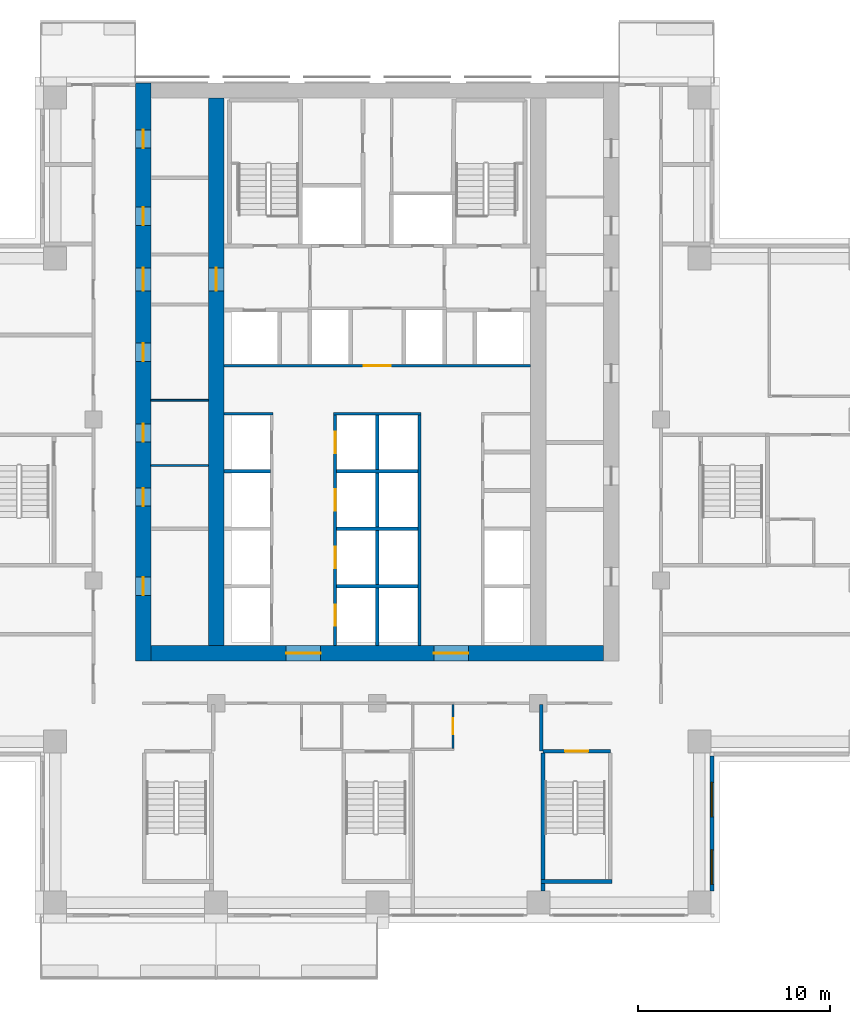
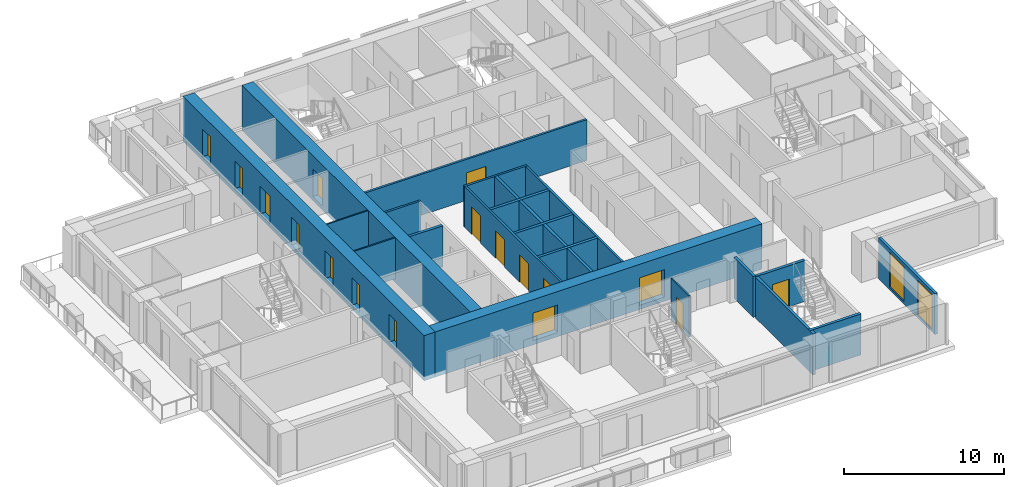
# One storey, part 8 of 16: 21 walls, 17 doors, 2 windows, 19 openings.
"""IFC4 building model written with IfcOpenShell, lengths in metres."""

from ifc_helpers import new_model, si_unit, direction, frame, frame_2d, origin, place, context, subcontext, project, spatial, rectangle, extrude, material, layer, layer_set, type_object, element, fill, save


model = new_model("IFC4")

# Units and contexts
model_context = context("Model", 3, precision=1e-05, world=origin(), true_north=direction((0.0, 1.0)))
body_context = subcontext(model_context, "Body", "Model", "MODEL_VIEW")
ifc_project = project(units=[si_unit("LENGTHUNIT", "METRE"), si_unit("AREAUNIT", "SQUARE_METRE"), si_unit("VOLUMEUNIT", "CUBIC_METRE"), si_unit("PLANEANGLEUNIT", "RADIAN"), si_unit("MASSUNIT", "GRAM", prefix="KILO")], contexts=[model_context])

# Site, building, storey
site_placement = place(None, origin())
site = spatial("IfcSite", under=ifc_project, at=site_placement, CompositionType="ELEMENT")
building_placement = place(site_placement, origin())
building = spatial("IfcBuilding", under=site, at=building_placement, Name="Vermilion Ogive Tower", CompositionType="ELEMENT")
storey_placement = place(building_placement, frame((0.0, 0.0, 101.10009765625)))
storey = spatial("IfcBuildingStorey", under=building, at=storey_placement, Name="L25", CompositionType="ELEMENT", Elevation=101.10009765625)

# Wall, openings, doors
ifc_material_1 = material(Name="Concrete B80", Category="concrete")
ifc_layer_1 = layer(ifc_material_1, 0.800048828125)
ifc_layer_set_1 = layer_set([ifc_layer_1], Name="Core wall 800 B80")
wall_type_1 = type_object("IfcWallType", Name="Core wall 800 B80", PredefinedType="SHEAR", material=ifc_layer_set_1)
wall_1_placement = place(storey_placement, frame((-12.199951171875, -8.39990234375, -0.320068359375), z_axis=(0.0, 0.0, 1.0), x_axis=(0.0, 1.0, 0.0)))
wall_1 = element("IfcWall", 1, at=wall_1_placement, inside=storey, type_object=wall_type_1, Name="L25-CORE-W", PredefinedType="SHEAR", context=body_context, shape_type="SweptSolid", body=[
    extrude(rectangle(XDim=30.14990234375, YDim=0.800048828125, at=frame_2d((15.074951171875, 0.0))), origin(), (0.0, 0.0, 1.0), 3.449951171875),
])
opening_1_placement = place(wall_1_placement, frame((3.425048828125, 0.0, 0.320068359375)))
opening_1 = element("IfcOpeningElement", 2, at=opening_1_placement, cuts=wall_1, Name="Opening DAD045", PredefinedType="OPENING", context=body_context, shape_type="SweptSolid", body=[
    extrude(rectangle(XDim=0.949951171875, YDim=2.10009765625, at=frame_2d((0.47509765625, 1.050048828125))), frame((0.0, 0.409912109375, 0.0), z_axis=(0.0, -1.0, 0.0), x_axis=(1.0, 0.0, 0.0)), (0.0, 0.0, 1.0), 0.820068359375),
])
opening_2_placement = place(wall_1_placement, frame((8.074951171875, 0.0, 0.320068359375)))
opening_2 = element("IfcOpeningElement", 3, at=opening_2_placement, cuts=wall_1, Name="Opening DAD046", PredefinedType="OPENING", context=body_context, shape_type="SweptSolid", body=[
    extrude(rectangle(XDim=0.949951171875, YDim=2.10009765625, at=frame_2d((0.47509765625, 1.050048828125))), frame((0.0, 0.409912109375, 0.0), z_axis=(0.0, -1.0, 0.0), x_axis=(1.0, 0.0, 0.0)), (0.0, 0.0, 1.0), 0.820068359375),
])
opening_3_placement = place(wall_1_placement, frame((11.425048828125, 0.0, 0.320068359375)))
opening_3 = element("IfcOpeningElement", 4, at=opening_3_placement, cuts=wall_1, Name="Opening DAD047", PredefinedType="OPENING", context=body_context, shape_type="SweptSolid", body=[
    extrude(rectangle(XDim=0.949951171875, YDim=2.10009765625, at=frame_2d((0.47509765625, 1.050048828125))), frame((0.0, 0.409912109375, 0.0), z_axis=(0.0, -1.0, 0.0), x_axis=(1.0, 0.0, 0.0)), (0.0, 0.0, 1.0), 0.820068359375),
])
opening_4_placement = place(wall_1_placement, frame((15.625, 0.0, 0.320068359375)))
opening_4 = element("IfcOpeningElement", 5, at=opening_4_placement, cuts=wall_1, Name="Opening DAD048", PredefinedType="OPENING", context=body_context, shape_type="SweptSolid", body=[
    extrude(rectangle(XDim=0.949951171875, YDim=2.10009765625, at=frame_2d((0.47509765625, 1.050048828125))), frame((0.0, 0.409912109375, 0.0), z_axis=(0.0, -1.0, 0.0), x_axis=(1.0, 0.0, 0.0)), (0.0, 0.0, 1.0), 0.820068359375),
])
opening_5_placement = place(wall_1_placement, frame((22.72509765625, 0.0, 0.320068359375)))
opening_5 = element("IfcOpeningElement", 6, at=opening_5_placement, cuts=wall_1, Name="Opening DAD049", PredefinedType="OPENING", context=body_context, shape_type="SweptSolid", body=[
    extrude(rectangle(XDim=0.949951171875, YDim=2.10009765625, at=frame_2d((0.47509765625, 1.050048828125))), frame((0.0, 0.409912109375, 0.0), z_axis=(0.0, -1.0, 0.0), x_axis=(1.0, 0.0, 0.0)), (0.0, 0.0, 1.0), 0.820068359375),
])
opening_6_placement = place(wall_1_placement, frame((26.75, 0.0, 0.320068359375)))
opening_6 = element("IfcOpeningElement", 7, at=opening_6_placement, cuts=wall_1, Name="Opening DAD050", PredefinedType="OPENING", context=body_context, shape_type="SweptSolid", body=[
    extrude(rectangle(XDim=0.949951171875, YDim=2.10009765625, at=frame_2d((0.47509765625, 1.050048828125))), frame((0.0, 0.409912109375, 0.0), z_axis=(0.0, -1.0, 0.0), x_axis=(1.0, 0.0, 0.0)), (0.0, 0.0, 1.0), 0.820068359375),
])
opening_7_placement = place(wall_1_placement, frame((19.300048828125, 0.0, 0.320068359375)))
opening_7 = element("IfcOpeningElement", 8, at=opening_7_placement, cuts=wall_1, Name="Opening DAM009", PredefinedType="OPENING", context=body_context, shape_type="SweptSolid", body=[
    extrude(rectangle(XDim=1.199951171875, YDim=2.10009765625, at=frame_2d((0.60009765625, 1.050048828125))), frame((0.0, 0.409912109375, 0.0), z_axis=(0.0, -1.0, 0.0), x_axis=(1.0, 0.0, 0.0)), (0.0, 0.0, 1.0), 0.820068359375),
])
ifc_material_2 = material(Name="Timber door leaf", Category="wood")
door_type_1 = type_object("IfcDoorType", Name="Link door 1200 x 2100 FD60S", OperationType="SINGLE_SWING_LEFT", PredefinedType="DOOR", material=ifc_material_2)
door_1_placement = place(opening_7_placement, origin())
door_1 = element("IfcDoor", 9, at=door_1_placement, inside=storey, type_object=door_type_1, Name="L25-CKW-XL", OperationType="SINGLE_SWING_LEFT", OverallHeight=2.10009765625, OverallWidth=1.199951171875, PredefinedType="DOOR", context=body_context, shape_type="SweptSolid", body=[
    extrude(rectangle(XDim=1.199951171875, YDim=2.10009765625, at=frame_2d((0.60009765625, 1.050048828125))), frame((0.0, 0.02490234375, 0.0), z_axis=(0.0, -1.0, 0.0), x_axis=(1.0, 0.0, 0.0)), (0.0, 0.0, 1.0), 0.050048828125),
])
fill(opening_7, door_1)
ifc_material_3 = material(Name="Timber door leaf", Category="wood")
door_type_2 = type_object("IfcDoorType", Name="Service door 950 x 2100 FD60", OperationType="SINGLE_SWING_LEFT", PredefinedType="DOOR", material=ifc_material_3)
door_2_placement = place(opening_1_placement, origin())
door_2 = element("IfcDoor", 10, at=door_2_placement, inside=storey, type_object=door_type_2, Name="L25-CKW-XR0", OperationType="SINGLE_SWING_LEFT", OverallHeight=2.10009765625, OverallWidth=0.949951171875, PredefinedType="DOOR", context=body_context, shape_type="SweptSolid", body=[
    extrude(rectangle(XDim=0.949951171875, YDim=2.10009765625, at=frame_2d((0.47509765625, 1.050048828125))), frame((0.0, 0.02490234375, 0.0), z_axis=(0.0, -1.0, 0.0), x_axis=(1.0, 0.0, 0.0)), (0.0, 0.0, 1.0), 0.050048828125),
])
fill(opening_1, door_2)
door_3_placement = place(opening_2_placement, origin())
door_3 = element("IfcDoor", 11, at=door_3_placement, inside=storey, type_object=door_type_2, Name="L25-CKW-XR1", OperationType="SINGLE_SWING_LEFT", OverallHeight=2.10009765625, OverallWidth=0.949951171875, PredefinedType="DOOR", context=body_context, shape_type="SweptSolid", body=[
    extrude(rectangle(XDim=0.949951171875, YDim=2.10009765625, at=frame_2d((0.47509765625, 1.050048828125))), frame((0.0, 0.02490234375, 0.0), z_axis=(0.0, -1.0, 0.0), x_axis=(1.0, 0.0, 0.0)), (0.0, 0.0, 1.0), 0.050048828125),
])
fill(opening_2, door_3)
door_4_placement = place(opening_3_placement, origin())
door_4 = element("IfcDoor", 12, at=door_4_placement, inside=storey, type_object=door_type_2, Name="L25-CKW-XR2", OperationType="SINGLE_SWING_LEFT", OverallHeight=2.10009765625, OverallWidth=0.949951171875, PredefinedType="DOOR", context=body_context, shape_type="SweptSolid", body=[
    extrude(rectangle(XDim=0.949951171875, YDim=2.10009765625, at=frame_2d((0.47509765625, 1.050048828125))), frame((0.0, 0.02490234375, 0.0), z_axis=(0.0, -1.0, 0.0), x_axis=(1.0, 0.0, 0.0)), (0.0, 0.0, 1.0), 0.050048828125),
])
fill(opening_3, door_4)
door_5_placement = place(opening_4_placement, origin())
door_5 = element("IfcDoor", 13, at=door_5_placement, inside=storey, type_object=door_type_2, Name="L25-CKW-XR3", OperationType="SINGLE_SWING_LEFT", OverallHeight=2.10009765625, OverallWidth=0.949951171875, PredefinedType="DOOR", context=body_context, shape_type="SweptSolid", body=[
    extrude(rectangle(XDim=0.949951171875, YDim=2.10009765625, at=frame_2d((0.47509765625, 1.050048828125))), frame((0.0, 0.02490234375, 0.0), z_axis=(0.0, -1.0, 0.0), x_axis=(1.0, 0.0, 0.0)), (0.0, 0.0, 1.0), 0.050048828125),
])
fill(opening_4, door_5)
door_6_placement = place(opening_5_placement, origin())
door_6 = element("IfcDoor", 14, at=door_6_placement, inside=storey, type_object=door_type_2, Name="L25-CKW-XR4", OperationType="SINGLE_SWING_LEFT", OverallHeight=2.10009765625, OverallWidth=0.949951171875, PredefinedType="DOOR", context=body_context, shape_type="SweptSolid", body=[
    extrude(rectangle(XDim=0.949951171875, YDim=2.10009765625, at=frame_2d((0.47509765625, 1.050048828125))), frame((0.0, 0.02490234375, 0.0), z_axis=(0.0, -1.0, 0.0), x_axis=(1.0, 0.0, 0.0)), (0.0, 0.0, 1.0), 0.050048828125),
])
fill(opening_5, door_6)
door_7_placement = place(opening_6_placement, origin())
door_7 = element("IfcDoor", 15, at=door_7_placement, inside=storey, type_object=door_type_2, Name="L25-CKW-XR5", OperationType="SINGLE_SWING_LEFT", OverallHeight=2.10009765625, OverallWidth=0.949951171875, PredefinedType="DOOR", context=body_context, shape_type="SweptSolid", body=[
    extrude(rectangle(XDim=0.949951171875, YDim=2.10009765625, at=frame_2d((0.47509765625, 1.050048828125))), frame((0.0, 0.02490234375, 0.0), z_axis=(0.0, -1.0, 0.0), x_axis=(1.0, 0.0, 0.0)), (0.0, 0.0, 1.0), 0.050048828125),
])
fill(opening_6, door_7)

wall_2_placement = place(storey_placement, frame((-11.800048828125, -8.0, -0.320068359375), z_axis=(0.0, 0.0, 1.0), x_axis=(1.0, 0.0, 0.0)))
wall_2 = element("IfcWall", 16, at=wall_2_placement, inside=storey, type_object=wall_type_1, Name="L25-CORE-S", PredefinedType="SHEAR", context=body_context, shape_type="SweptSolid", body=[
    extrude(rectangle(XDim=23.60009765625, YDim=0.800048828125, at=frame_2d((11.800048828125, 0.0))), origin(), (0.0, 0.0, 1.0), 3.449951171875),
])
opening_8_placement = place(wall_2_placement, frame((7.050048828125, 0.0, 0.320068359375)))
opening_8 = element("IfcOpeningElement", 17, at=opening_8_placement, cuts=wall_2, Name="Opening DAH017", PredefinedType="OPENING", context=body_context, shape_type="SweptSolid", body=[
    extrude(rectangle(XDim=1.800048828125, YDim=2.10009765625, at=frame_2d((0.89990234375, 1.050048828125))), frame((0.0, 0.409912109375, 0.0), z_axis=(0.0, -1.0, 0.0), x_axis=(1.0, 0.0, 0.0)), (0.0, 0.0, 1.0), 0.820068359375),
])
opening_9_placement = place(wall_2_placement, frame((14.75, 0.0, 0.320068359375)))
opening_9 = element("IfcOpeningElement", 18, at=opening_9_placement, cuts=wall_2, Name="Opening DAH018", PredefinedType="OPENING", context=body_context, shape_type="SweptSolid", body=[
    extrude(rectangle(XDim=1.800048828125, YDim=2.10009765625, at=frame_2d((0.89990234375, 1.050048828125))), frame((0.0, 0.409912109375, 0.0), z_axis=(0.0, -1.0, 0.0), x_axis=(1.0, 0.0, 0.0)), (0.0, 0.0, 1.0), 0.820068359375),
])
ifc_material_4 = material(Name="Timber door leaf", Category="wood")
door_type_3 = type_object("IfcDoorType", Name="Core entry door 1800 x 2100 FD60S", OperationType="DOUBLE_DOOR_SINGLE_SWING", PredefinedType="DOOR", material=ifc_material_4)
door_8_placement = place(opening_8_placement, origin())
door_8 = element("IfcDoor", 19, at=door_8_placement, inside=storey, type_object=door_type_3, Name="L25-CK-XD1", OperationType="SINGLE_SWING_LEFT", OverallHeight=2.10009765625, OverallWidth=1.800048828125, PredefinedType="DOOR", context=body_context, shape_type="SweptSolid", body=[
    extrude(rectangle(XDim=1.800048828125, YDim=2.10009765625, at=frame_2d((0.89990234375, 1.050048828125))), frame((0.0, 0.02490234375, 0.0), z_axis=(0.0, -1.0, 0.0), x_axis=(1.0, 0.0, 0.0)), (0.0, 0.0, 1.0), 0.050048828125),
])
fill(opening_8, door_8)
door_9_placement = place(opening_9_placement, origin())
door_9 = element("IfcDoor", 20, at=door_9_placement, inside=storey, type_object=door_type_3, Name="L25-CK-XD2", OperationType="SINGLE_SWING_LEFT", OverallHeight=2.10009765625, OverallWidth=1.800048828125, PredefinedType="DOOR", context=body_context, shape_type="SweptSolid", body=[
    extrude(rectangle(XDim=1.800048828125, YDim=2.10009765625, at=frame_2d((0.89990234375, 1.050048828125))), frame((0.0, 0.02490234375, 0.0), z_axis=(0.0, -1.0, 0.0), x_axis=(1.0, 0.0, 0.0)), (0.0, 0.0, 1.0), 0.050048828125),
])
fill(opening_9, door_9)

# Wall, opening, door
wall_3_placement = place(storey_placement, frame((-8.39990234375, -7.60009765625, -0.320068359375), z_axis=(0.0, 0.0, 1.0), x_axis=(0.0, 1.0, 0.0)))
wall_3 = element("IfcWall", 21, at=wall_3_placement, inside=storey, type_object=wall_type_1, Name="L25-CORE-WEB1", PredefinedType="SHEAR", context=body_context, shape_type="SweptSolid", body=[
    extrude(rectangle(XDim=28.550048828125, YDim=0.800048828125, at=frame_2d((14.27490234375, 0.0))), origin(), (0.0, 0.0, 1.0), 3.449951171875),
])
opening_10_placement = place(wall_3_placement, frame((18.5, 0.0, 0.320068359375)))
opening_10 = element("IfcOpeningElement", 22, at=opening_10_placement, cuts=wall_3, Name="Opening DAP009", PredefinedType="OPENING", context=body_context, shape_type="SweptSolid", body=[
    extrude(rectangle(XDim=1.199951171875, YDim=2.10009765625, at=frame_2d((0.60009765625, 1.050048828125))), frame((0.0, 0.409912109375, 0.0), z_axis=(0.0, -1.0, 0.0), x_axis=(1.0, 0.0, 0.0)), (0.0, 0.0, 1.0), 0.820068359375),
])
door_10_placement = place(opening_10_placement, origin())
door_10 = element("IfcDoor", 23, at=door_10_placement, inside=storey, type_object=door_type_1, Name="L25-CKW-XW", OperationType="SINGLE_SWING_LEFT", OverallHeight=2.10009765625, OverallWidth=1.199951171875, PredefinedType="DOOR", context=body_context, shape_type="SweptSolid", body=[
    extrude(rectangle(XDim=1.199951171875, YDim=2.10009765625, at=frame_2d((0.60009765625, 1.050048828125))), frame((0.0, 0.02490234375, 0.0), z_axis=(0.0, -1.0, 0.0), x_axis=(1.0, 0.0, 0.0)), (0.0, 0.0, 1.0), 0.050048828125),
])
fill(opening_10, door_10)

ifc_material_5 = material(Name="Gypsum board partition on steel studs", Category="steel")
ifc_layer_2 = layer(ifc_material_5, 0.10009765625)
ifc_layer_set_2 = layer_set([ifc_layer_2], Name="Partition 100 bath")
wall_type_2 = type_object("IfcWallType", Name="Partition 100 bath", PredefinedType="PARTITIONING", material=ifc_layer_set_2)
wall_4_placement = place(storey_placement, frame((3.949951171875, -12.949951171875, 0.0), z_axis=(0.0, 0.0, 1.0), x_axis=(0.0, 1.0, 0.0)))
wall_4 = element("IfcWall", 24, at=wall_4_placement, inside=storey, type_object=wall_type_2, Name="L25-W-W044", PredefinedType="PARTITIONING", context=body_context, shape_type="SweptSolid", body=[
    extrude(rectangle(XDim=2.27490234375, YDim=0.10009765625, at=frame_2d((1.137451171875, 0.0))), origin(), (0.0, 0.0, 1.0), 3.1298828125),
])
opening_11_placement = place(wall_4_placement, frame((0.724853515625, 0.0, 0.0)))
opening_11 = element("IfcOpeningElement", 25, at=opening_11_placement, cuts=wall_4, Name="Opening D2G3012", PredefinedType="OPENING", context=body_context, shape_type="SweptSolid", body=[
    extrude(rectangle(XDim=0.85009765625, YDim=2.10009765625, at=frame_2d((0.425048828125, 1.050048828125))), frame((0.0, 0.06005859375, 0.0), z_axis=(0.0, -1.0, 0.0), x_axis=(1.0, 0.0, 0.0)), (0.0, 0.0, 1.0), 0.1201171875),
])
ifc_material_6 = material(Name="Timber door leaf", Category="wood")
door_type_4 = type_object("IfcDoorType", Name="Bath door 850 x 2100 FD30", OperationType="SINGLE_SWING_LEFT", PredefinedType="DOOR", material=ifc_material_6)
door_11_placement = place(opening_11_placement, origin())
door_11 = element("IfcDoor", 26, at=door_11_placement, inside=storey, type_object=door_type_4, Name="L25-D-D012", OperationType="SINGLE_SWING_LEFT", OverallHeight=2.10009765625, OverallWidth=0.85009765625, PredefinedType="DOOR", context=body_context, shape_type="SweptSolid", body=[
    extrude(rectangle(XDim=0.85009765625, YDim=2.10009765625, at=frame_2d((0.425048828125, 1.050048828125))), frame((0.0, 0.02490234375, 0.0), z_axis=(0.0, -1.0, 0.0), x_axis=(1.0, 0.0, 0.0)), (0.0, 0.0, 1.0), 0.050048828125),
])
fill(opening_11, door_11)

# Walls
for number, where, z_axis, x_axis, name in (
    (27, (-11.799072265625, 1.800048828125, 0.0), (0.0, 0.0, 1.0), (1.0, 0.0, 0.0), "L25-CKW-W-W002"),
    (28, (-11.799072265625, 5.199951171875, 0.0), (0.0, 0.0, 1.0), (1.0, 0.0, 0.0), "L25-CKW-W-W003"),
):
    element("IfcWall", number, at=place(storey_placement, frame(where, z_axis=z_axis, x_axis=x_axis)), inside=storey, type_object=wall_type_2, Name=name, PredefinedType="PARTITIONING", context=body_context, shape_type="SweptSolid", body=[
        extrude(rectangle(XDim=2.998046875, YDim=0.10009765625, at=frame_2d((1.4990234375, 0.0))), origin(), (0.0, 0.0, 1.0), 3.1298828125),
    ])
ifc_material_7 = material(Name="Gypsum board partition on steel studs", Category="steel")
ifc_layer_3 = layer(ifc_material_7, 0.14990234375)
ifc_layer_set_3 = layer_set([ifc_layer_3], Name="Partition 150 corridor")
wall_type_3 = type_object("IfcWallType", Name="Partition 150 corridor", PredefinedType="PARTITIONING", material=ifc_layer_set_3)
wall_5_placement = place(storey_placement, frame((-7.9990234375, 4.5, 0.0), z_axis=(0.0, 0.0, 1.0), x_axis=(1.0, 0.0, 0.0)))
element("IfcWall", 29, at=wall_5_placement, inside=storey, type_object=wall_type_3, Name="L25-CK-W-W011", PredefinedType="PARTITIONING", context=body_context, shape_type="SweptSolid", body=[
    extrude(rectangle(XDim=2.573974609375, YDim=0.14990234375, at=frame_2d((1.287109375, 0.0))), origin(), (0.0, 0.0, 1.0), 3.1298828125),
])
wall_6_placement = place(storey_placement, frame((-2.27490234375, 4.5, 0.0), z_axis=(0.0, 0.0, 1.0), x_axis=(1.0, 0.0, 0.0)))
element("IfcWall", 30, at=wall_6_placement, inside=storey, type_object=wall_type_3, Name="L25-CK-W-W012", PredefinedType="PARTITIONING", context=body_context, shape_type="SweptSolid", body=[
    extrude(rectangle(XDim=4.5498046875, YDim=0.14990234375, at=frame_2d((2.27490234375, 0.0))), origin(), (0.0, 0.0, 1.0), 3.1298828125),
])

# Wall, opening, door
wall_7_placement = place(storey_placement, frame((-7.9990234375, 7.0, 0.0), z_axis=(0.0, 0.0, 1.0), x_axis=(1.0, 0.0, 0.0)))
wall_7 = element("IfcWall", 31, at=wall_7_placement, inside=storey, type_object=wall_type_3, Name="L25-CK-W-W014", PredefinedType="PARTITIONING", context=body_context, shape_type="SweptSolid", body=[
    extrude(rectangle(XDim=15.998046875, YDim=0.14990234375, at=frame_2d((7.9990234375, 0.0))), origin(), (0.0, 0.0, 1.0), 3.1298828125),
])
opening_12_placement = place(wall_7_placement, frame((7.299072265625, 0.0, 0.0)))
opening_12 = element("IfcOpeningElement", 32, at=opening_12_placement, cuts=wall_7, Name="Opening DAA186", PredefinedType="OPENING", context=body_context, shape_type="SweptSolid", body=[
    extrude(rectangle(XDim=1.39990234375, YDim=2.10009765625, at=frame_2d((0.699951171875, 1.050048828125))), frame((0.0, 0.0849609375, 0.0), z_axis=(0.0, -1.0, 0.0), x_axis=(1.0, 0.0, 0.0)), (0.0, 0.0, 1.0), 0.169921875),
])
ifc_material_8 = material(Name="Timber door leaf", Category="wood")
door_type_5 = type_object("IfcDoorType", Name="Lobby door 1400 x 2100 FD60S", OperationType="SINGLE_SWING_LEFT", PredefinedType="DOOR", material=ifc_material_8)
door_12_placement = place(opening_12_placement, origin())
door_12 = element("IfcDoor", 33, at=door_12_placement, inside=storey, type_object=door_type_5, Name="L25-CK-D-D016", OperationType="SINGLE_SWING_RIGHT", OverallHeight=2.10009765625, OverallWidth=1.39990234375, PredefinedType="DOOR", context=body_context, shape_type="SweptSolid", body=[
    extrude(rectangle(XDim=1.39990234375, YDim=2.10009765625, at=frame_2d((0.699951171875, 1.050048828125))), frame((0.0, 0.02490234375, 0.0), z_axis=(0.0, -1.0, 0.0), x_axis=(1.0, 0.0, 0.0)), (0.0, 0.0, 1.0), 0.050048828125),
])
fill(opening_12, door_12)

# Wall, openings, doors
wall_8_placement = place(storey_placement, frame((-2.199951171875, -7.59912109375, 0.0), z_axis=(0.0, 0.0, 1.0), x_axis=(0.0, 1.0, 0.0)))
wall_8 = element("IfcWall", 34, at=wall_8_placement, inside=storey, type_object=wall_type_3, Name="L25-CK-W-W028", PredefinedType="PARTITIONING", context=body_context, shape_type="SweptSolid", body=[
    extrude(rectangle(XDim=12.024169921875, YDim=0.14990234375, at=frame_2d((6.01220703125, 0.0))), origin(), (0.0, 0.0, 1.0), 3.1298828125),
])
opening_13_placement = place(wall_8_placement, frame((1.049072265625, 0.0, 0.0)))
opening_13 = element("IfcOpeningElement", 35, at=opening_13_placement, cuts=wall_8, Name="Opening DAA202", PredefinedType="OPENING", context=body_context, shape_type="SweptSolid", body=[
    extrude(rectangle(XDim=1.10009765625, YDim=2.10009765625, at=frame_2d((0.550048828125, 1.050048828125))), frame((0.0, 0.0849609375, 0.0), z_axis=(0.0, -1.0, 0.0), x_axis=(1.0, 0.0, 0.0)), (0.0, 0.0, 1.0), 0.169921875),
])
opening_14_placement = place(wall_8_placement, frame((4.049072265625, 0.0, 0.0)))
opening_14 = element("IfcOpeningElement", 36, at=opening_14_placement, cuts=wall_8, Name="Opening DAA203", PredefinedType="OPENING", context=body_context, shape_type="SweptSolid", body=[
    extrude(rectangle(XDim=1.10009765625, YDim=2.10009765625, at=frame_2d((0.550048828125, 1.050048828125))), frame((0.0, 0.0849609375, 0.0), z_axis=(0.0, -1.0, 0.0), x_axis=(1.0, 0.0, 0.0)), (0.0, 0.0, 1.0), 0.169921875),
])
opening_15_placement = place(wall_8_placement, frame((7.049072265625, 0.0, 0.0)))
opening_15 = element("IfcOpeningElement", 37, at=opening_15_placement, cuts=wall_8, Name="Opening DAA204", PredefinedType="OPENING", context=body_context, shape_type="SweptSolid", body=[
    extrude(rectangle(XDim=1.10009765625, YDim=2.10009765625, at=frame_2d((0.550048828125, 1.050048828125))), frame((0.0, 0.0849609375, 0.0), z_axis=(0.0, -1.0, 0.0), x_axis=(1.0, 0.0, 0.0)), (0.0, 0.0, 1.0), 0.169921875),
])
opening_16_placement = place(wall_8_placement, frame((10.049072265625, 0.0, 0.0)))
opening_16 = element("IfcOpeningElement", 38, at=opening_16_placement, cuts=wall_8, Name="Opening DAA205", PredefinedType="OPENING", context=body_context, shape_type="SweptSolid", body=[
    extrude(rectangle(XDim=1.10009765625, YDim=2.10009765625, at=frame_2d((0.550048828125, 1.050048828125))), frame((0.0, 0.0849609375, 0.0), z_axis=(0.0, -1.0, 0.0), x_axis=(1.0, 0.0, 0.0)), (0.0, 0.0, 1.0), 0.169921875),
])
ifc_material_9 = material(Name="Stainless steel", Category="steel")
door_type_6 = type_object("IfcDoorType", Name="Lift landing door 1100 x 2100", OperationType="SLIDING_TO_LEFT", PredefinedType="DOOR", material=ifc_material_9)
door_13_placement = place(opening_13_placement, origin())
door_13 = element("IfcDoor", 39, at=door_13_placement, inside=storey, type_object=door_type_6, Name="L25-CK-D-D005", OperationType="SLIDING_TO_LEFT", OverallHeight=2.10009765625, OverallWidth=1.10009765625, PredefinedType="DOOR", context=body_context, shape_type="SweptSolid", body=[
    extrude(rectangle(XDim=1.10009765625, YDim=2.10009765625, at=frame_2d((0.550048828125, 1.050048828125))), frame((0.0, 0.02490234375, 0.0), z_axis=(0.0, -1.0, 0.0), x_axis=(1.0, 0.0, 0.0)), (0.0, 0.0, 1.0), 0.050048828125),
])
fill(opening_13, door_13)
door_14_placement = place(opening_14_placement, origin())
door_14 = element("IfcDoor", 40, at=door_14_placement, inside=storey, type_object=door_type_6, Name="L25-CK-D-D006", OperationType="SLIDING_TO_LEFT", OverallHeight=2.10009765625, OverallWidth=1.10009765625, PredefinedType="DOOR", context=body_context, shape_type="SweptSolid", body=[
    extrude(rectangle(XDim=1.10009765625, YDim=2.10009765625, at=frame_2d((0.550048828125, 1.050048828125))), frame((0.0, 0.02490234375, 0.0), z_axis=(0.0, -1.0, 0.0), x_axis=(1.0, 0.0, 0.0)), (0.0, 0.0, 1.0), 0.050048828125),
])
fill(opening_14, door_14)
door_15_placement = place(opening_15_placement, origin())
door_15 = element("IfcDoor", 41, at=door_15_placement, inside=storey, type_object=door_type_6, Name="L25-CK-D-D007", OperationType="SLIDING_TO_LEFT", OverallHeight=2.10009765625, OverallWidth=1.10009765625, PredefinedType="DOOR", context=body_context, shape_type="SweptSolid", body=[
    extrude(rectangle(XDim=1.10009765625, YDim=2.10009765625, at=frame_2d((0.550048828125, 1.050048828125))), frame((0.0, 0.02490234375, 0.0), z_axis=(0.0, -1.0, 0.0), x_axis=(1.0, 0.0, 0.0)), (0.0, 0.0, 1.0), 0.050048828125),
])
fill(opening_15, door_15)
door_16_placement = place(opening_16_placement, origin())
door_16 = element("IfcDoor", 42, at=door_16_placement, inside=storey, type_object=door_type_6, Name="L25-CK-D-D008", OperationType="SLIDING_TO_LEFT", OverallHeight=2.10009765625, OverallWidth=1.10009765625, PredefinedType="DOOR", context=body_context, shape_type="SweptSolid", body=[
    extrude(rectangle(XDim=1.10009765625, YDim=2.10009765625, at=frame_2d((0.550048828125, 1.050048828125))), frame((0.0, 0.02490234375, 0.0), z_axis=(0.0, -1.0, 0.0), x_axis=(1.0, 0.0, 0.0)), (0.0, 0.0, 1.0), 0.050048828125),
])
fill(opening_16, door_16)

# Walls
wall_9_placement = place(storey_placement, frame((2.199951171875, -7.59912109375, 0.0), z_axis=(0.0, 0.0, 1.0), x_axis=(0.0, 1.0, 0.0)))
element("IfcWall", 43, at=wall_9_placement, inside=storey, type_object=wall_type_3, Name="L25-CK-W-W035", PredefinedType="PARTITIONING", context=body_context, shape_type="SweptSolid", body=[
    extrude(rectangle(XDim=12.024169921875, YDim=0.14990234375, at=frame_2d((6.01220703125, 0.0))), origin(), (0.0, 0.0, 1.0), 3.1298828125),
])
ifc_material_10 = material(Name="Gypsum board partition on steel studs", Category="steel")
ifc_layer_4 = layer(ifc_material_10, 0.199951171875)
ifc_layer_set_4 = layer_set([ifc_layer_4], Name="Partition 200 party")
wall_type_4 = type_object("IfcWallType", Name="Partition 200 party", PredefinedType="PARTITIONING", material=ifc_layer_set_4)
wall_10_placement = place(storey_placement, frame((8.550048828125, -13.10009765625, 0.0), z_axis=(0.0, 0.0, 1.0), x_axis=(0.0, 1.0, 0.0)))
element("IfcWall", 44, at=wall_10_placement, inside=storey, type_object=wall_type_4, Name="L25-W-W045", PredefinedType="PARTITIONING", context=body_context, shape_type="SweptSolid", body=[
    extrude(rectangle(XDim=2.425048828125, YDim=0.199951171875, at=frame_2d((1.21240234375, 0.0))), origin(), (0.0, 0.0, 1.0), 3.1298828125),
])
for number, where, z_axis, x_axis, name in (
    (45, (-2.125, -4.5, 0.0), (0.0, 0.0, 1.0), (1.0, 0.0, 0.0), "L25-CK-W-W002"),
    (46, (-2.125, -1.5, 0.0), (0.0, 0.0, 1.0), (1.0, 0.0, 0.0), "L25-CK-W-W005"),
):
    element("IfcWall", number, at=place(storey_placement, frame(where, z_axis=z_axis, x_axis=x_axis)), inside=storey, type_object=wall_type_4, Name=name, PredefinedType="PARTITIONING", context=body_context, shape_type="SweptSolid", body=[
        extrude(rectangle(XDim=4.25, YDim=0.199951171875, at=frame_2d((2.125, 0.0))), origin(), (0.0, 0.0, 1.0), 3.1298828125),
    ])
wall_11_placement = place(storey_placement, frame((-7.9990234375, 1.5, 0.0), z_axis=(0.0, 0.0, 1.0), x_axis=(1.0, 0.0, 0.0)))
element("IfcWall", 47, at=wall_11_placement, inside=storey, type_object=wall_type_4, Name="L25-CK-W-W008", PredefinedType="PARTITIONING", context=body_context, shape_type="SweptSolid", body=[
    extrude(rectangle(XDim=2.424072265625, YDim=0.199951171875, at=frame_2d((1.2119140625, 0.0))), origin(), (0.0, 0.0, 1.0), 3.1298828125),
])
wall_12_placement = place(storey_placement, frame((-2.125, 1.5, 0.0), z_axis=(0.0, 0.0, 1.0), x_axis=(1.0, 0.0, 0.0)))
element("IfcWall", 48, at=wall_12_placement, inside=storey, type_object=wall_type_4, Name="L25-CK-W-W009", PredefinedType="PARTITIONING", context=body_context, shape_type="SweptSolid", body=[
    extrude(rectangle(XDim=4.25, YDim=0.199951171875, at=frame_2d((2.125, 0.0))), origin(), (0.0, 0.0, 1.0), 3.1298828125),
])
wall_13_placement = place(storey_placement, frame((0.0, -7.59912109375, 0.0), z_axis=(0.0, 0.0, 1.0), x_axis=(0.0, 1.0, 0.0)))
element("IfcWall", 49, at=wall_13_placement, inside=storey, type_object=wall_type_4, Name="L25-CK-W-W031", PredefinedType="PARTITIONING", context=body_context, shape_type="SweptSolid", body=[
    extrude(rectangle(XDim=12.024169921875, YDim=0.199951171875, at=frame_2d((6.01220703125, 0.0))), origin(), (0.0, 0.0, 1.0), 3.1298828125),
])

# Wall, opening, door
ifc_material_11 = material(Name="Concrete B60", Category="concrete")
ifc_layer_5 = layer(ifc_material_11, 0.199951171875)
ifc_layer_set_5 = layer_set([ifc_layer_5], Name="Stair shaft wall 200 Concrete B60")
wall_type_5 = type_object("IfcWallType", Name="Stair shaft wall 200 Concrete B60", PredefinedType="SOLIDWALL", material=ifc_layer_set_5)
wall_14_placement = place(storey_placement, frame((8.64990234375, -13.10009765625, 0.0), z_axis=(0.0, 0.0, 1.0), x_axis=(1.0, 0.0, 0.0)))
wall_14 = element("IfcWall", 50, at=wall_14_placement, inside=storey, type_object=wall_type_5, Name="L25-W-W004", PredefinedType="SOLIDWALL", context=body_context, shape_type="SweptSolid", body=[
    extrude(rectangle(XDim=3.5, YDim=0.199951171875, at=frame_2d((1.75, 0.0))), origin(), (0.0, 0.0, 1.0), 3.1298828125),
])
opening_17_placement = place(wall_14_placement, frame((1.150146484375, 0.0, 0.0)))
opening_17 = element("IfcOpeningElement", 51, at=opening_17_placement, cuts=wall_14, Name="Opening D2G3025", PredefinedType="OPENING", context=body_context, shape_type="SweptSolid", body=[
    extrude(rectangle(XDim=1.199951171875, YDim=2.10009765625, at=frame_2d((0.60009765625, 1.050048828125))), frame((0.0, 0.10986328125, 0.0), z_axis=(0.0, -1.0, 0.0), x_axis=(1.0, 0.0, 0.0)), (0.0, 0.0, 1.0), 0.219970703125),
])
ifc_material_12 = material(Name="Timber door leaf", Category="wood")
door_type_7 = type_object("IfcDoorType", Name="Stair door 1200 x 2100 FD60S", OperationType="SINGLE_SWING_LEFT", PredefinedType="DOOR", material=ifc_material_12)
door_17_placement = place(opening_17_placement, origin())
door_17 = element("IfcDoor", 52, at=door_17_placement, inside=storey, type_object=door_type_7, Name="L25-D-D025", OperationType="SINGLE_SWING_RIGHT", OverallHeight=2.10009765625, OverallWidth=1.199951171875, PredefinedType="DOOR", context=body_context, shape_type="SweptSolid", body=[
    extrude(rectangle(XDim=1.199951171875, YDim=2.10009765625, at=frame_2d((0.60009765625, 1.050048828125))), frame((0.0, 0.02490234375, 0.0), z_axis=(0.0, -1.0, 0.0), x_axis=(1.0, 0.0, 0.0)), (0.0, 0.0, 1.0), 0.050048828125),
])
fill(opening_17, door_17)

# Walls
wall_15_placement = place(storey_placement, frame((8.550048828125, -19.89990234375, 0.0), z_axis=(0.0, 0.0, 1.0), x_axis=(1.0, 0.0, 0.0)))
element("IfcWall", 53, at=wall_15_placement, inside=storey, type_object=wall_type_5, Name="L25-SW-ST5-S1", PredefinedType="SOLIDWALL", context=body_context, shape_type="SweptSolid", body=[
    extrude(rectangle(XDim=3.699951171875, YDim=0.199951171875, at=frame_2d((1.85009765625, 0.0))), origin(), (0.0, 0.0, 1.0), 3.1298828125),
])
wall_16_placement = place(storey_placement, frame((8.64990234375, -20.39990234375, 0.0), z_axis=(0.0, 0.0, 1.0), x_axis=(0.0, 1.0, 0.0)))
element("IfcWall", 54, at=wall_16_placement, inside=storey, type_object=wall_type_5, Name="L25-SW-ST5-W1-A", PredefinedType="SOLIDWALL", context=body_context, shape_type="SweptSolid", body=[
    extrude(rectangle(XDim=7.197998046875, YDim=0.199951171875, at=frame_2d((3.59912109375, 0.0))), origin(), (0.0, 0.0, 1.0), 3.1298828125),
])

# Wall, openings, windows
ifc_material_13 = material(Name="Aluminium window wall framing", Category="aluminium")
ifc_layer_6 = layer(ifc_material_13, 0.199951171875)
ifc_layer_set_6 = layer_set([ifc_layer_6], Name="Window wall")
wall_type_6 = type_object("IfcWallType", Name="Window wall", PredefinedType="STANDARD", material=ifc_layer_set_6)
wall_17_placement = place(storey_placement, frame((17.449951171875, -20.39990234375, 0.0), z_axis=(0.0, 0.0, 1.0), x_axis=(0.0, 1.0, 0.0)))
wall_17 = element("IfcWall", 55, at=wall_17_placement, inside=storey, type_object=wall_type_6, Name="Window wall X11", PredefinedType="STANDARD", context=body_context, shape_type="SweptSolid", body=[
    extrude(rectangle(XDim=7.0498046875, YDim=0.199951171875, at=frame_2d((3.52490234375, 0.0))), origin(), (0.0, 0.0, 1.0), 3.1298828125),
])
opening_18_placement = place(wall_17_placement, frame((0.35009765625, 0.0, 0.199951171875)))
opening_18 = element("IfcOpeningElement", 56, at=opening_18_placement, cuts=wall_17, Name="Opening W1-X195", PredefinedType="OPENING", context=body_context, shape_type="SweptSolid", body=[
    extrude(rectangle(XDim=1.800048828125, YDim=2.64990234375, at=frame_2d((0.89990234375, 1.324951171875))), frame((0.0, 0.10986328125, 0.0), z_axis=(0.0, -1.0, 0.0), x_axis=(1.0, 0.0, 0.0)), (0.0, 0.0, 1.0), 0.219970703125),
])
opening_19_placement = place(wall_17_placement, frame((3.875, 0.0, 0.199951171875)))
opening_19 = element("IfcOpeningElement", 57, at=opening_19_placement, cuts=wall_17, Name="Opening W1-X196", PredefinedType="OPENING", context=body_context, shape_type="SweptSolid", body=[
    extrude(rectangle(XDim=1.800048828125, YDim=2.64990234375, at=frame_2d((0.89990234375, 1.324951171875))), frame((0.0, 0.10986328125, 0.0), z_axis=(0.0, -1.0, 0.0), x_axis=(1.0, 0.0, 0.0)), (0.0, 0.0, 1.0), 0.219970703125),
])
ifc_material_14 = material(Name="Aluminium framed double glazing", Category="aluminium")
window_type = type_object("IfcWindowType", Name="Guest window W1", PartitioningType="SINGLE_PANEL", PredefinedType="WINDOW", material=ifc_material_14)
window_1_placement = place(opening_18_placement, origin())
window_1 = element("IfcWindow", 58, at=window_1_placement, inside=storey, type_object=window_type, Name="Window X195", OverallHeight=2.64990234375, OverallWidth=1.800048828125, PartitioningType="SINGLE_PANEL", PredefinedType="WINDOW", context=body_context, shape_type="SweptSolid", body=[
    extrude(rectangle(XDim=1.800048828125, YDim=2.64990234375, at=frame_2d((0.89990234375, 1.324951171875))), frame((0.0, 0.030029296875, 0.0), z_axis=(0.0, -1.0, 0.0), x_axis=(1.0, 0.0, 0.0)), (0.0, 0.0, 1.0), 0.06005859375),
])
fill(opening_18, window_1)
window_2_placement = place(opening_19_placement, origin())
window_2 = element("IfcWindow", 59, at=window_2_placement, inside=storey, type_object=window_type, Name="Window X196", OverallHeight=2.64990234375, OverallWidth=1.800048828125, PartitioningType="SINGLE_PANEL", PredefinedType="WINDOW", context=body_context, shape_type="SweptSolid", body=[
    extrude(rectangle(XDim=1.800048828125, YDim=2.64990234375, at=frame_2d((0.89990234375, 1.324951171875))), frame((0.0, 0.030029296875, 0.0), z_axis=(0.0, -1.0, 0.0), x_axis=(1.0, 0.0, 0.0)), (0.0, 0.0, 1.0), 0.06005859375),
])
fill(opening_19, window_2)

save(model, "model.ifc")
